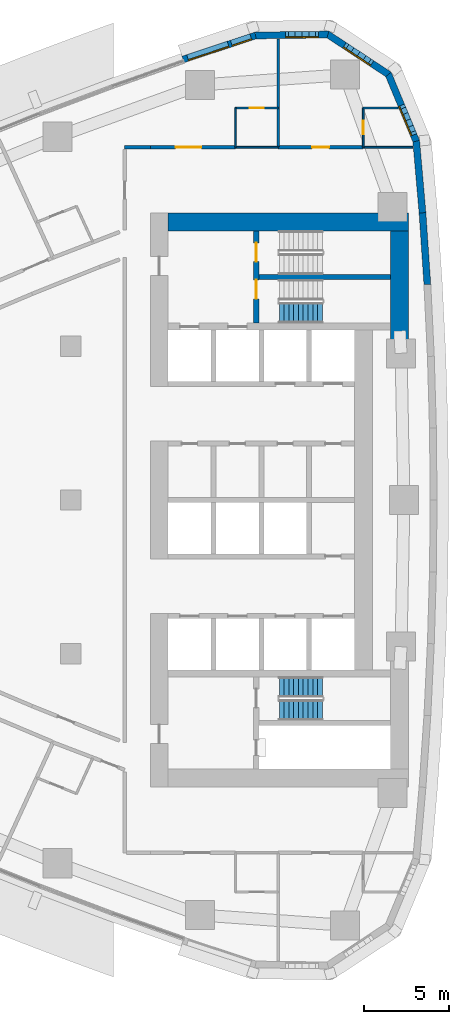
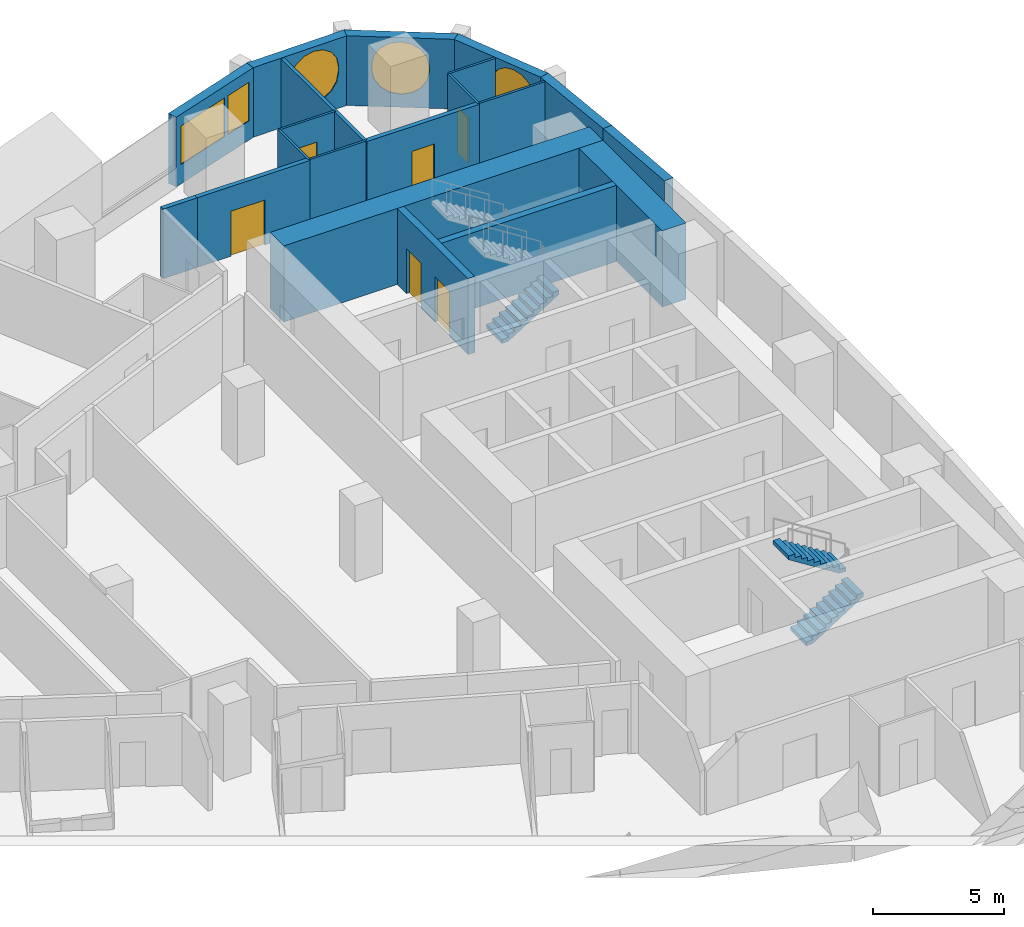
# One storey, part 12 of 17: 20 walls, 6 doors, 5 windows, 3 stair flights, 11 openings, 2 elements without a shape of their own.
"""IFC4 building model written with IfcOpenShell, lengths in metres."""

from ifc_helpers import new_model, si_unit, direction, frame, frame_2d, origin, place, context, subcontext, project, spatial, polyline, rectangle, outline, extrude, material, layer, layer_set, type_object, element, fill, aggregate, save


model = new_model("IFC4")

# Units and contexts
model_context = context("Model", 3, precision=1e-05, world=origin(), true_north=direction((0.0, 1.0)))
body_context = subcontext(model_context, "Body", "Model", "MODEL_VIEW")
ifc_project = project(units=[si_unit("LENGTHUNIT", "METRE"), si_unit("AREAUNIT", "SQUARE_METRE"), si_unit("VOLUMEUNIT", "CUBIC_METRE"), si_unit("PLANEANGLEUNIT", "RADIAN"), si_unit("MASSUNIT", "GRAM", prefix="KILO")], contexts=[model_context])

# Site, building, storey
site_placement = place(None, origin())
site = spatial("IfcSite", under=ifc_project, at=site_placement, CompositionType="ELEMENT")
building_placement = place(site_placement, origin())
building = spatial("IfcBuilding", under=site, at=building_placement, Name="Ostrand Prow Hotel Tower", CompositionType="ELEMENT")
storey_placement = place(building_placement, frame((0.0, 0.0, 92.0)))
storey = spatial("IfcBuildingStorey", under=building, at=storey_placement, Name="L21", CompositionType="ELEMENT", Elevation=92.0)

# Walls
ifc_material_1 = material(Name="Concrete C80/95", Category="concrete")
ifc_layer_1 = layer(ifc_material_1, 1.050048828125)
ifc_layer_set_1 = layer_set([ifc_layer_1], Name="Concrete C80/95")
wall_type_1 = type_object("IfcWallType", Name="Core wall 1050 C80/95", PredefinedType="SHEAR", material=ifc_layer_set_1)
wall_1_placement = place(storey_placement, frame((50.699951171875, 16.27490234375, 0.0), z_axis=(0.0, 0.0, 1.0), x_axis=(1.0, 0.0, 0.0)))
element("IfcWall", 1, at=wall_1_placement, inside=storey, type_object=wall_type_1, Name="Core wall CW-N", PredefinedType="SHEAR", context=body_context, shape_type="SweptSolid", body=[
    extrude(rectangle(XDim=14.070068359375, YDim=1.050048828125, at=frame_2d((7.03515625, 0.0))), origin(), (0.0, 0.0, 1.0), 3.550048828125),
])
wall_2_placement = place(storey_placement, frame((64.2451171875, 9.388671875, 0.0), z_axis=(0.0, 0.0, 1.0), x_axis=(0.0, 1.0, 0.0)))
element("IfcWall", 2, at=wall_2_placement, inside=storey, type_object=wall_type_1, Name="Core wall CW-E-N", PredefinedType="SHEAR", context=body_context, shape_type="SweptSolid", body=[
    extrude(rectangle(XDim=6.361328125, YDim=1.050048828125, at=frame_2d((3.1806640625, 0.0))), origin(), (0.0, 0.0, 1.0), 3.550048828125),
])

# Wall, openings, doors
ifc_material_2 = material(Name="Concrete C80/95", Category="concrete")
ifc_layer_2 = layer(ifc_material_2, 0.300048828125)
ifc_layer_set_2 = layer_set([ifc_layer_2], Name="Concrete C80/95")
wall_type_2 = type_object("IfcWallType", Name="Core wall 300 C80/95", PredefinedType="SHEAR", material=ifc_layer_set_2)
wall_3_placement = place(storey_placement, frame((55.85009765625, 10.35009765625, 0.0), z_axis=(0.0, 0.0, 1.0), x_axis=(0.0, 1.0, 0.0)))
wall_3 = element("IfcWall", 3, at=wall_3_placement, inside=storey, type_object=wall_type_2, Name="Core wall PW-VN", PredefinedType="SHEAR", context=body_context, shape_type="SweptSolid", body=[
    extrude(rectangle(XDim=5.39990234375, YDim=0.300048828125, at=frame_2d((2.699951171875, 0.0))), origin(), (0.0, 0.0, 1.0), 3.550048828125),
])
opening_1_placement = place(wall_3_placement, frame((1.429931640625, 0.0, 0.0)))
opening_1 = element("IfcOpeningElement", 4, at=opening_1_placement, cuts=wall_3, Name="Opening FD1", PredefinedType="OPENING", context=body_context, shape_type="SweptSolid", body=[
    extrude(rectangle(XDim=1.10009765625, YDim=2.10009765625, at=frame_2d((0.550048828125, 1.050048828125))), frame((0.0, 0.159912109375, 0.0), z_axis=(0.0, -1.0, 0.0), x_axis=(1.0, 0.0, 0.0)), (0.0, 0.0, 1.0), 0.320068359375),
])
opening_2_placement = place(wall_3_placement, frame((3.60009765625, 0.0, 0.0)))
opening_2 = element("IfcOpeningElement", 5, at=opening_2_placement, cuts=wall_3, Name="Opening FD1", PredefinedType="OPENING", context=body_context, shape_type="SweptSolid", body=[
    extrude(rectangle(XDim=1.10009765625, YDim=2.10009765625, at=frame_2d((0.550048828125, 1.050048828125))), frame((0.0, 0.159912109375, 0.0), z_axis=(0.0, -1.0, 0.0), x_axis=(1.0, 0.0, 0.0)), (0.0, 0.0, 1.0), 0.320068359375),
])
ifc_material_3 = material(Name="Steel fire door", Category="steel")
door_type_1 = type_object("IfcDoorType", Name="Fire door 1100 EI120", OperationType="SINGLE_SWING_RIGHT", PredefinedType="DOOR", material=ifc_material_3)
door_1_placement = place(opening_1_placement, origin())
door_1 = element("IfcDoor", 6, at=door_1_placement, inside=storey, type_object=door_type_1, Name="FIRE DOOR", OperationType="SINGLE_SWING_RIGHT", OverallHeight=2.10009765625, OverallWidth=1.10009765625, PredefinedType="DOOR", context=body_context, shape_type="SweptSolid", body=[
    extrude(rectangle(XDim=1.10009765625, YDim=2.10009765625, at=frame_2d((0.550048828125, 1.050048828125))), frame((0.0, 0.02490234375, 0.0), z_axis=(0.0, -1.0, 0.0), x_axis=(1.0, 0.0, 0.0)), (0.0, 0.0, 1.0), 0.050048828125),
])
fill(opening_1, door_1)
door_2_placement = place(opening_2_placement, origin())
door_2 = element("IfcDoor", 7, at=door_2_placement, inside=storey, type_object=door_type_1, Name="FIRE DOOR", OperationType="SINGLE_SWING_RIGHT", OverallHeight=2.10009765625, OverallWidth=1.10009765625, PredefinedType="DOOR", context=body_context, shape_type="SweptSolid", body=[
    extrude(rectangle(XDim=1.10009765625, YDim=2.10009765625, at=frame_2d((0.550048828125, 1.050048828125))), frame((0.0, 0.02490234375, 0.0), z_axis=(0.0, -1.0, 0.0), x_axis=(1.0, 0.0, 0.0)), (0.0, 0.0, 1.0), 0.050048828125),
])
fill(opening_2, door_2)

# Walls
wall_4_placement = place(storey_placement, frame((56.0, 13.050048828125, 0.0), z_axis=(0.0, 0.0, 1.0), x_axis=(1.0, 0.0, 0.0)))
element("IfcWall", 8, at=wall_4_placement, inside=storey, type_object=wall_type_2, Name="Core wall PW-ST13", PredefinedType="SHEAR", context=body_context, shape_type="SweptSolid", body=[
    extrude(rectangle(XDim=7.719970703125, YDim=0.300048828125, at=frame_2d((3.85986328125, 0.0))), origin(), (0.0, 0.0, 1.0), 3.550048828125),
])
ifc_material_4 = material(Name="Plasterboard partition")
ifc_layer_3 = layer(ifc_material_4, 0.10009765625)
ifc_layer_set_3 = layer_set([ifc_layer_3], Name="Plasterboard partition")
wall_type_3 = type_object("IfcWallType", Name="Partition 100 bathroom wall", PredefinedType="PARTITIONING", material=ifc_layer_set_3)
wall_5_placement = place(storey_placement, frame((54.630615234375, 20.64990234375, 0.0), z_axis=(0.0, 0.0, 1.0), x_axis=(0.0, 1.0, 0.0)))
element("IfcWall", 9, at=wall_5_placement, inside=storey, type_object=wall_type_3, Name="BATHROOM WALL", PredefinedType="PARTITIONING", context=body_context, shape_type="SweptSolid", body=[
    extrude(rectangle(XDim=2.300048828125, YDim=0.10009765625, at=frame_2d((1.14990234375, 0.0))), origin(), (0.0, 0.0, 1.0), 3.25),
])

# Wall, opening, door
wall_6_placement = place(storey_placement, frame((54.630615234375, 22.949951171875, 0.0), z_axis=(0.0, 0.0, 1.0), x_axis=(1.0, 0.0, 0.0)))
wall_6 = element("IfcWall", 10, at=wall_6_placement, inside=storey, type_object=wall_type_3, Name="BATHROOM WALL", PredefinedType="PARTITIONING", context=body_context, shape_type="SweptSolid", body=[
    extrude(rectangle(XDim=2.5, YDim=0.10009765625, at=frame_2d((1.25, 0.0))), origin(), (0.0, 0.0, 1.0), 3.25),
])
opening_3_placement = place(wall_6_placement, frame((0.85009765625, 0.0, 0.0)))
opening_3 = element("IfcOpeningElement", 11, at=opening_3_placement, cuts=wall_6, Name="Opening D2", PredefinedType="OPENING", context=body_context, shape_type="SweptSolid", body=[
    extrude(rectangle(XDim=0.800048828125, YDim=2.10009765625, at=frame_2d((0.39990234375, 1.050048828125))), frame((0.0, 0.06005859375, 0.0), z_axis=(0.0, -1.0, 0.0), x_axis=(1.0, 0.0, 0.0)), (0.0, 0.0, 1.0), 0.1201171875),
])
ifc_material_5 = material(Name="Timber door leaf", Category="wood")
door_type_2 = type_object("IfcDoorType", Name="Bathroom door 800", OperationType="SINGLE_SWING_LEFT", PredefinedType="DOOR", material=ifc_material_5)
door_3_placement = place(opening_3_placement, origin())
door_3 = element("IfcDoor", 12, at=door_3_placement, inside=storey, type_object=door_type_2, Name="DOOR", OperationType="SINGLE_SWING_LEFT", OverallHeight=2.10009765625, OverallWidth=0.800048828125, PredefinedType="DOOR", context=body_context, shape_type="SweptSolid", body=[
    extrude(rectangle(XDim=0.800048828125, YDim=2.10009765625, at=frame_2d((0.39990234375, 1.050048828125))), frame((0.0, 0.02490234375, 0.0), z_axis=(0.0, -1.0, 0.0), x_axis=(1.0, 0.0, 0.0)), (0.0, 0.0, 1.0), 0.050048828125),
])
fill(opening_3, door_3)

wall_7_placement = place(storey_placement, frame((62.111083984375, 20.64990234375, 0.0), z_axis=(0.0, 0.0, 1.0), x_axis=(0.0, 1.0, 0.0)))
wall_7 = element("IfcWall", 13, at=wall_7_placement, inside=storey, type_object=wall_type_3, Name="BATHROOM WALL", PredefinedType="PARTITIONING", context=body_context, shape_type="SweptSolid", body=[
    extrude(rectangle(XDim=2.300048828125, YDim=0.10009765625, at=frame_2d((1.14990234375, 0.0))), origin(), (0.0, 0.0, 1.0), 3.25),
])
opening_4_placement = place(wall_7_placement, frame((0.75, 0.0, 0.0)))
opening_4 = element("IfcOpeningElement", 14, at=opening_4_placement, cuts=wall_7, Name="Opening D2", PredefinedType="OPENING", context=body_context, shape_type="SweptSolid", body=[
    extrude(rectangle(XDim=0.800048828125, YDim=2.10009765625, at=frame_2d((0.39990234375, 1.050048828125))), frame((0.0, 0.06005859375, 0.0), z_axis=(0.0, -1.0, 0.0), x_axis=(1.0, 0.0, 0.0)), (0.0, 0.0, 1.0), 0.1201171875),
])
door_4_placement = place(opening_4_placement, origin())
door_4 = element("IfcDoor", 15, at=door_4_placement, inside=storey, type_object=door_type_2, Name="DOOR", OperationType="SINGLE_SWING_LEFT", OverallHeight=2.10009765625, OverallWidth=0.800048828125, PredefinedType="DOOR", context=body_context, shape_type="SweptSolid", body=[
    extrude(rectangle(XDim=0.800048828125, YDim=2.10009765625, at=frame_2d((0.39990234375, 1.050048828125))), frame((0.0, 0.02490234375, 0.0), z_axis=(0.0, -1.0, 0.0), x_axis=(1.0, 0.0, 0.0)), (0.0, 0.0, 1.0), 0.050048828125),
])
fill(opening_4, door_4)

# Walls
wall_8_placement = place(storey_placement, frame((62.111083984375, 22.949951171875, 0.0), z_axis=(0.0, 0.0, 1.0), x_axis=(1.0, 0.0, 0.0)))
element("IfcWall", 16, at=wall_8_placement, inside=storey, type_object=wall_type_3, Name="BATHROOM WALL", PredefinedType="PARTITIONING", context=body_context, shape_type="SweptSolid", body=[
    extrude(rectangle(XDim=2.04931640625, YDim=0.10009765625, at=frame_2d((1.024658203125, 0.0))), origin(), (0.0, 0.0, 1.0), 3.25),
])
wall_9_placement = place(storey_placement, frame((57.130615234375, 20.655029296875, 0.0), z_axis=(0.0, 0.0, 1.0), x_axis=(-1.0, 0.0, 0.0)))
element("IfcWall", 17, at=wall_9_placement, inside=storey, type_object=wall_type_3, Name="BATHROOM WALL", PredefinedType="PARTITIONING", context=body_context, shape_type="SweptSolid", body=[
    extrude(rectangle(XDim=2.5, YDim=0.10009765625, at=frame_2d((1.25, 0.0))), origin(), (0.0, 0.0, 1.0), 3.25),
])
wall_10_placement = place(storey_placement, frame((65.016845703125, 20.655029296875, 0.0), z_axis=(0.0, 0.0, 1.0), x_axis=(-1.0, 0.0, 0.0)))
element("IfcWall", 18, at=wall_10_placement, inside=storey, type_object=wall_type_3, Name="BATHROOM WALL", PredefinedType="PARTITIONING", context=body_context, shape_type="SweptSolid", body=[
    extrude(rectangle(XDim=2.90576171875, YDim=0.10009765625, at=frame_2d((1.452880859375, 0.0))), origin(), (0.0, 0.0, 1.0), 3.25),
])
ifc_material_6 = material(Name="Plasterboard partition")
ifc_layer_4 = layer(ifc_material_6, 0.14990234375)
ifc_layer_set_4 = layer_set([ifc_layer_4], Name="Plasterboard partition")
wall_type_4 = type_object("IfcWallType", Name="Partition 150 room partition", PredefinedType="PARTITIONING", material=ifc_layer_set_4)
wall_11_placement = place(storey_placement, frame((57.130615234375, 20.64990234375, 0.0), z_axis=(0.0, 0.0, 1.0), x_axis=(0.0, 1.0, 0.0)))
element("IfcWall", 19, at=wall_11_placement, inside=storey, type_object=wall_type_4, Name="ROOM PARTITION", PredefinedType="PARTITIONING", context=body_context, shape_type="SweptSolid", body=[
    extrude(rectangle(XDim=6.3291015625, YDim=0.14990234375, at=frame_2d((3.16455078125, 0.0))), origin(), (0.0, 0.0, 1.0), 3.25),
])

# Wall, opening, door
ifc_material_7 = material(Name="Plasterboard partition")
ifc_layer_5 = layer(ifc_material_7, 0.199951171875)
ifc_layer_set_5 = layer_set([ifc_layer_5], Name="Plasterboard partition")
wall_type_5 = type_object("IfcWallType", Name="Partition 200 corridor wall", PredefinedType="PARTITIONING", material=ifc_layer_set_5)
wall_12_placement = place(storey_placement, frame((54.62548828125, 20.655029296875, 0.0), z_axis=(0.0, 0.0, 1.0), x_axis=(-1.0, 0.0, 0.0)))
wall_12 = element("IfcWall", 20, at=wall_12_placement, inside=storey, type_object=wall_type_5, Name="CORRIDOR WALL", PredefinedType="PARTITIONING", context=body_context, shape_type="SweptSolid", body=[
    extrude(rectangle(XDim=4.9755859375, YDim=0.199951171875, at=frame_2d((2.48779296875, 0.0))), origin(), (0.0, 0.0, 1.0), 3.25),
])
opening_5_placement = place(wall_12_placement, frame((1.98779296875, 0.0, 0.0)))
opening_5 = element("IfcOpeningElement", 21, at=opening_5_placement, cuts=wall_12, Name="Opening D15", PredefinedType="OPENING", context=body_context, shape_type="SweptSolid", body=[
    extrude(rectangle(XDim=1.5, YDim=2.10009765625, at=frame_2d((0.75, 1.050048828125))), frame((0.0, 0.10986328125, 0.0), z_axis=(0.0, -1.0, 0.0), x_axis=(1.0, 0.0, 0.0)), (0.0, 0.0, 1.0), 0.219970703125),
])
ifc_material_8 = material(Name="Timber door leaf", Category="wood")
door_type_3 = type_object("IfcDoorType", Name="Double door 1500", OperationType="DOUBLE_DOOR_SINGLE_SWING", PredefinedType="DOOR", material=ifc_material_8)
door_5_placement = place(opening_5_placement, origin())
door_5 = element("IfcDoor", 22, at=door_5_placement, inside=storey, type_object=door_type_3, Name="DOOR", OperationType="DOUBLE_DOOR_SINGLE_SWING", OverallHeight=2.10009765625, OverallWidth=1.5, PredefinedType="DOOR", context=body_context, shape_type="SweptSolid", body=[
    extrude(rectangle(XDim=1.5, YDim=2.10009765625, at=frame_2d((0.75, 1.050048828125))), frame((0.0, 0.02490234375, 0.0), z_axis=(0.0, -1.0, 0.0), x_axis=(1.0, 0.0, 0.0)), (0.0, 0.0, 1.0), 0.050048828125),
])
fill(opening_5, door_5)

wall_13_placement = place(storey_placement, frame((62.106201171875, 20.655029296875, 0.0), z_axis=(0.0, 0.0, 1.0), x_axis=(-1.0, 0.0, 0.0)))
wall_13 = element("IfcWall", 23, at=wall_13_placement, inside=storey, type_object=wall_type_5, Name="CORRIDOR WALL", PredefinedType="PARTITIONING", context=body_context, shape_type="SweptSolid", body=[
    extrude(rectangle(XDim=4.970703125, YDim=0.199951171875, at=frame_2d((2.4853515625, 0.0))), origin(), (0.0, 0.0, 1.0), 3.25),
])
opening_6_placement = place(wall_13_placement, frame((1.9853515625, 0.0, 0.0)))
opening_6 = element("IfcOpeningElement", 24, at=opening_6_placement, cuts=wall_13, Name="Opening D1R", PredefinedType="OPENING", context=body_context, shape_type="SweptSolid", body=[
    extrude(rectangle(XDim=1.0, YDim=2.10009765625, at=frame_2d((0.5, 1.050048828125))), frame((0.0, 0.10986328125, 0.0), z_axis=(0.0, -1.0, 0.0), x_axis=(1.0, 0.0, 0.0)), (0.0, 0.0, 1.0), 0.219970703125),
])
ifc_material_9 = material(Name="Timber door leaf", Category="wood")
door_type_4 = type_object("IfcDoorType", Name="Guest room door 1000 right", OperationType="SINGLE_SWING_RIGHT", PredefinedType="DOOR", material=ifc_material_9)
door_6_placement = place(opening_6_placement, origin())
door_6 = element("IfcDoor", 25, at=door_6_placement, inside=storey, type_object=door_type_4, Name="DOOR", OperationType="SINGLE_SWING_RIGHT", OverallHeight=2.10009765625, OverallWidth=1.0, PredefinedType="DOOR", context=body_context, shape_type="SweptSolid", body=[
    extrude(rectangle(XDim=1.0, YDim=2.10009765625, at=frame_2d((0.5, 1.050048828125))), frame((0.0, 0.02490234375, 0.0), z_axis=(0.0, -1.0, 0.0), x_axis=(1.0, 0.0, 0.0)), (0.0, 0.0, 1.0), 0.050048828125),
])
fill(opening_6, door_6)

# Walls
wall_14_placement = place(storey_placement, frame((49.64990234375, 20.655029296875, 0.0), z_axis=(0.0, 0.0, 1.0), x_axis=(-0.999996196879, -0.002757938895, 0.0)))
element("IfcWall", 26, at=wall_14_placement, inside=storey, type_object=wall_type_5, Name="CORRIDOR WALL", PredefinedType="PARTITIONING", context=body_context, shape_type="SweptSolid", body=[
    extrude(rectangle(XDim=1.5048828125, YDim=0.199951171875, at=frame_2d((0.75244140625, 0.0))), origin(), (0.0, 0.0, 1.0), 3.25),
])
ifc_material_10 = material(Name="Precast concrete C40/50", Category="concrete")
ifc_layer_6 = layer(ifc_material_10, 0.39990234375)
ifc_layer_set_6 = layer_set([ifc_layer_6], Name="Precast concrete C40/50")
wall_type_6 = type_object("IfcWallType", Name="Stone-faced precast wall 400 mm", PredefinedType="NOTDEFINED", material=ifc_layer_set_6)
wall_15_placement = place(storey_placement, frame((65.8681640625, 12.613525390625, 0.0), z_axis=(0.0, 0.0, 1.0), x_axis=(-0.067724559895, 0.997704056315, 0.0)))
element("IfcWall", 27, at=wall_15_placement, inside=storey, type_object=wall_type_6, Name="Stone-faced wall back 13", PredefinedType="NOTDEFINED", context=body_context, shape_type="SweptSolid", body=[
    extrude(outline(polyline([(-0.001953125, -0.199951171875), (4.208984375, -0.199951171875), (4.205078125, 0.199951171875), (0.001953125, 0.199951171875), (-0.001953125, -0.199951171875)])), origin(), (0.0, 0.0, 1.0), 3.25),
])
wall_16_placement = place(storey_placement, frame((65.583251953125, 16.810791015625, 0.0), z_axis=(0.0, 0.0, 1.0), x_axis=(-0.086992730434, 0.996208946382, 0.0)))
element("IfcWall", 28, at=wall_16_placement, inside=storey, type_object=wall_type_6, Name="Stone-faced wall back 14", PredefinedType="NOTDEFINED", context=body_context, shape_type="SweptSolid", body=[
    extrude(outline(polyline([(-0.001953125, -0.199951171875), (4.23779296875, -0.199951171875), (4.17578125, 0.199951171875), (0.001953125, 0.199951171875), (-0.001953125, -0.199951171875)])), origin(), (0.0, 0.0, 1.0), 3.25),
])

# Wall, opening, window
wall_17_placement = place(storey_placement, frame((65.21728515625, 21.001708984375, 0.0), z_axis=(0.0, 0.0, 1.0), x_axis=(-0.383997751971, 0.923334027577, 0.0)))
wall_17 = element("IfcWall", 29, at=wall_17_placement, inside=storey, type_object=wall_type_6, Name="Stone-faced wall back 15", PredefinedType="NOTDEFINED", context=body_context, shape_type="SweptSolid", body=[
    extrude(outline(polyline([(-0.031005859375, -0.199951171875), (4.300048828125, -0.199951171875), (4.177490234375, 0.199951171875), (0.031005859375, 0.199951171875), (-0.031005859375, -0.199951171875)])), origin(), (0.0, 0.0, 1.0), 3.25),
])
opening_7_placement = place(wall_17_placement, frame((0.28662109375, 0.0, 0.60009765625)))
opening_7 = element("IfcOpeningElement", 30, at=opening_7_placement, cuts=wall_17, Name="Opening WP1-21", PredefinedType="OPENING", context=body_context, shape_type="SweptSolid", body=[
    extrude(outline(polyline([(0.0, 1.39990234375), (0.079833984375, 1.8017578125), (0.3076171875, 2.142333984375), (0.648193359375, 2.3701171875), (1.050048828125, 2.449951171875), (1.451904296875, 2.3701171875), (1.79248046875, 2.142333984375), (2.020263671875, 1.8017578125), (2.10009765625, 1.39990234375), (2.10009765625, 1.050048828125), (2.020263671875, 0.648193359375), (1.79248046875, 0.3076171875), (1.451904296875, 0.079833984375), (1.050048828125, 0.0), (0.648193359375, 0.079833984375), (0.3076171875, 0.3076171875), (0.079833984375, 0.648193359375), (0.0, 1.050048828125), (0.0, 1.39990234375)])), frame((0.0, 0.2099609375, 0.0), z_axis=(0.0, -1.0, 0.0), x_axis=(1.0, 0.0, 0.0)), (0.0, 0.0, 1.0), 0.419921875),
])
ifc_material_11 = material(Name="Insulated glass in bronze frame", Category="glass")
window_type_1 = type_object("IfcWindowType", Name="Round-ended prow window 2100x2450", PartitioningType="SINGLE_PANEL", PredefinedType="WINDOW", material=ifc_material_11)
window_1_placement = place(opening_7_placement, origin())
window_1 = element("IfcWindow", 31, at=window_1_placement, inside=storey, type_object=window_type_1, Name="Window back 15.1", OverallHeight=2.449951171875, OverallWidth=2.10009765625, PartitioningType="SINGLE_PANEL", PredefinedType="WINDOW", context=body_context, shape_type="SweptSolid", body=[
    extrude(outline(polyline([(0.0, 1.39990234375), (0.079833984375, 1.8017578125), (0.3076171875, 2.142333984375), (0.648193359375, 2.3701171875), (1.050048828125, 2.449951171875), (1.451904296875, 2.3701171875), (1.79248046875, 2.142333984375), (2.020263671875, 1.8017578125), (2.10009765625, 1.39990234375), (2.10009765625, 1.050048828125), (2.020263671875, 0.648193359375), (1.79248046875, 0.3076171875), (1.451904296875, 0.079833984375), (1.050048828125, 0.0), (0.648193359375, 0.079833984375), (0.3076171875, 0.3076171875), (0.079833984375, 0.648193359375), (0.0, 1.050048828125), (0.0, 1.39990234375)])), frame((0.0, 0.169921875, 0.0), z_axis=(0.0, -1.0, 0.0), x_axis=(1.0, 0.0, 0.0)), (0.0, 0.0, 1.0), 0.06005859375),
])
fill(opening_7, window_1)

wall_18_placement = place(storey_placement, frame((63.589599609375, 24.91552734375, 0.0), z_axis=(0.0, 0.0, 1.0), x_axis=(-0.835340523653, 0.549732852887, 0.0)))
wall_18 = element("IfcWall", 32, at=wall_18_placement, inside=storey, type_object=wall_type_6, Name="Stone-faced wall back 16", PredefinedType="NOTDEFINED", context=body_context, shape_type="SweptSolid", body=[
    extrude(outline(polyline([(-0.061279296875, -0.199951171875), (4.30029296875, -0.199951171875), (4.177734375, 0.199951171875), (0.061279296875, 0.199951171875), (-0.061279296875, -0.199951171875)])), origin(), (0.0, 0.0, 1.0), 3.25),
])
opening_8_placement = place(wall_18_placement, frame((1.01953125, 0.0, 0.60009765625)))
opening_8 = element("IfcOpeningElement", 33, at=opening_8_placement, cuts=wall_18, Name="Opening WP1", PredefinedType="OPENING", context=body_context, shape_type="SweptSolid", body=[
    extrude(outline(polyline([(0.0, 1.35009765625), (0.083740234375, 1.77099609375), (0.322265625, 2.127685546875), (0.678955078125, 2.3662109375), (1.10009765625, 2.449951171875), (1.52099609375, 2.3662109375), (1.877685546875, 2.127685546875), (2.1162109375, 1.77099609375), (2.199951171875, 1.35009765625), (2.199951171875, 1.10009765625), (2.1162109375, 0.678955078125), (1.877685546875, 0.322265625), (1.52099609375, 0.083740234375), (1.10009765625, 0.0), (0.678955078125, 0.083740234375), (0.322265625, 0.322265625), (0.083740234375, 0.678955078125), (0.0, 1.099853515625), (0.0, 1.35009765625)])), frame((0.0, 0.2099609375, 0.0), z_axis=(0.0, -1.0, 0.0), x_axis=(1.0, 0.0, 0.0)), (0.0, 0.0, 1.0), 0.419921875),
])
ifc_material_12 = material(Name="Insulated glass in bronze frame", Category="glass")
window_type_2 = type_object("IfcWindowType", Name="Round-ended prow window 2200x2450", PartitioningType="SINGLE_PANEL", PredefinedType="WINDOW", material=ifc_material_12)
window_2_placement = place(opening_8_placement, origin())
window_2 = element("IfcWindow", 34, at=window_2_placement, inside=storey, type_object=window_type_2, Name="Window back 16.1", OverallHeight=2.449951171875, OverallWidth=2.199951171875, PartitioningType="SINGLE_PANEL", PredefinedType="WINDOW", context=body_context, shape_type="SweptSolid", body=[
    extrude(outline(polyline([(0.0, 1.35009765625), (0.083740234375, 1.77099609375), (0.322265625, 2.127685546875), (0.678955078125, 2.3662109375), (1.10009765625, 2.449951171875), (1.52099609375, 2.3662109375), (1.877685546875, 2.127685546875), (2.1162109375, 1.77099609375), (2.199951171875, 1.35009765625), (2.199951171875, 1.10009765625), (2.1162109375, 0.678955078125), (1.877685546875, 0.322265625), (1.52099609375, 0.083740234375), (1.10009765625, 0.0), (0.678955078125, 0.083740234375), (0.322265625, 0.322265625), (0.083740234375, 0.678955078125), (0.0, 1.099853515625), (0.0, 1.35009765625)])), frame((0.0, 0.169921875, 0.0), z_axis=(0.0, -1.0, 0.0), x_axis=(1.0, 0.0, 0.0)), (0.0, 0.0, 1.0), 0.06005859375),
])
fill(opening_8, window_2)

wall_19_placement = place(storey_placement, frame((60.048583984375, 27.245849609375, 0.0), z_axis=(0.0, 0.0, 1.0), x_axis=(-0.999919718849, -0.012671063772, 0.0)))
wall_19 = element("IfcWall", 35, at=wall_19_placement, inside=storey, type_object=wall_type_6, Name="Stone-faced wall back 17", PredefinedType="NOTDEFINED", context=body_context, shape_type="SweptSolid", body=[
    extrude(outline(polyline([(-0.061279296875, -0.199951171875), (4.269775390625, -0.199951171875), (4.207763671875, 0.199951171875), (0.061279296875, 0.199951171875), (-0.061279296875, -0.199951171875)])), origin(), (0.0, 0.0, 1.0), 3.25),
])
opening_9_placement = place(wall_19_placement, frame((0.418212890625, 0.0, 0.60009765625)))
opening_9 = element("IfcOpeningElement", 36, at=opening_9_placement, cuts=wall_19, Name="Opening WP1", PredefinedType="OPENING", context=body_context, shape_type="SweptSolid", body=[
    extrude(outline(polyline([(0.0, 1.35009765625), (0.083740234375, 1.77099609375), (0.322265625, 2.127685546875), (0.678955078125, 2.3662109375), (1.10009765625, 2.449951171875), (1.52099609375, 2.3662109375), (1.877685546875, 2.127685546875), (2.1162109375, 1.77099609375), (2.199951171875, 1.35009765625), (2.199951171875, 1.10009765625), (2.1162109375, 0.678955078125), (1.877685546875, 0.322265625), (1.52099609375, 0.083740234375), (1.10009765625, 0.0), (0.678955078125, 0.083740234375), (0.322265625, 0.322265625), (0.083740234375, 0.678955078125), (0.0, 1.099853515625), (0.0, 1.35009765625)])), frame((0.0, 0.2099609375, 0.0), z_axis=(0.0, -1.0, 0.0), x_axis=(1.0, 0.0, 0.0)), (0.0, 0.0, 1.0), 0.419921875),
])
window_3_placement = place(opening_9_placement, origin())
window_3 = element("IfcWindow", 37, at=window_3_placement, inside=storey, type_object=window_type_2, Name="Window back 17.1", OverallHeight=2.449951171875, OverallWidth=2.199951171875, PartitioningType="SINGLE_PANEL", PredefinedType="WINDOW", context=body_context, shape_type="SweptSolid", body=[
    extrude(outline(polyline([(0.0, 1.35009765625), (0.083740234375, 1.77099609375), (0.322265625, 2.127685546875), (0.678955078125, 2.3662109375), (1.10009765625, 2.449951171875), (1.52099609375, 2.3662109375), (1.877685546875, 2.127685546875), (2.1162109375, 1.77099609375), (2.199951171875, 1.35009765625), (2.199951171875, 1.10009765625), (2.1162109375, 0.678955078125), (1.877685546875, 0.322265625), (1.52099609375, 0.083740234375), (1.10009765625, 0.0), (0.678955078125, 0.083740234375), (0.322265625, 0.322265625), (0.083740234375, 0.678955078125), (0.0, 1.099853515625), (0.0, 1.35009765625)])), frame((0.0, 0.169921875, 0.0), z_axis=(0.0, -1.0, 0.0), x_axis=(1.0, 0.0, 0.0)), (0.0, 0.0, 1.0), 0.06005859375),
])
fill(opening_9, window_3)

# Wall, openings, windows
wall_20_placement = place(storey_placement, frame((55.81005859375, 27.192138671875, 0.0), z_axis=(0.0, 0.0, 1.0), x_axis=(-0.94925004851, -0.314522408429, 0.0)))
wall_20 = element("IfcWall", 38, at=wall_20_placement, inside=storey, type_object=wall_type_6, Name="Stone-faced wall back 18", PredefinedType="NOTDEFINED", context=body_context, shape_type="SweptSolid", body=[
    extrude(outline(polyline([(-0.031005859375, -0.199951171875), (4.468017578125, -0.199951171875), (4.468017578125, 0.199951171875), (0.031005859375, 0.199951171875), (-0.031005859375, -0.199951171875)])), origin(), (0.0, 0.0, 1.0), 3.25),
])
opening_10_placement = place(wall_20_placement, frame((0.283935546875, 0.0, 0.89990234375)))
opening_10 = element("IfcOpeningElement", 39, at=opening_10_placement, cuts=wall_20, Name="Opening WS4", PredefinedType="OPENING", context=body_context, shape_type="SweptSolid", body=[
    extrude(rectangle(XDim=1.199951171875, YDim=1.800048828125, at=frame_2d((0.60009765625, 0.89990234375))), frame((0.0, 0.2099609375, 0.0), z_axis=(0.0, -1.0, 0.0), x_axis=(1.0, 0.0, 0.0)), (0.0, 0.0, 1.0), 0.419921875),
])
opening_11_placement = place(wall_20_placement, frame((1.68408203125, 0.0, 0.89990234375)))
opening_11 = element("IfcOpeningElement", 40, at=opening_11_placement, cuts=wall_20, Name="Opening WS5-25", PredefinedType="OPENING", context=body_context, shape_type="SweptSolid", body=[
    extrude(rectangle(XDim=2.5, YDim=1.800048828125, at=frame_2d((1.25, 0.89990234375))), frame((0.0, 0.2099609375, 0.0), z_axis=(0.0, -1.0, 0.0), x_axis=(1.0, 0.0, 0.0)), (0.0, 0.0, 1.0), 0.419921875),
])
ifc_material_13 = material(Name="Insulated glass in bronze frame", Category="glass")
window_type_3 = type_object("IfcWindowType", Name="Fixed strip window 2500x1800", PartitioningType="SINGLE_PANEL", PredefinedType="WINDOW", material=ifc_material_13)
window_4_placement = place(opening_11_placement, origin())
window_4 = element("IfcWindow", 41, at=window_4_placement, inside=storey, type_object=window_type_3, Name="Window back 18.2", OverallHeight=1.800048828125, OverallWidth=2.5, PartitioningType="SINGLE_PANEL", PredefinedType="WINDOW", context=body_context, shape_type="SweptSolid", body=[
    extrude(rectangle(XDim=2.5, YDim=1.800048828125, at=frame_2d((1.25, 0.89990234375))), frame((0.0, 0.169921875, 0.0), z_axis=(0.0, -1.0, 0.0), x_axis=(1.0, 0.0, 0.0)), (0.0, 0.0, 1.0), 0.06005859375),
])
fill(opening_11, window_4)
ifc_material_14 = material(Name="Insulated glass in bronze frame", Category="glass")
window_type_4 = type_object("IfcWindowType", Name="Operable strip panel 1200x1800", PartitioningType="SINGLE_PANEL", PredefinedType="WINDOW", material=ifc_material_14)
window_5_placement = place(opening_10_placement, origin())
window_5 = element("IfcWindow", 42, at=window_5_placement, inside=storey, type_object=window_type_4, Name="Window back 18.1", OverallHeight=1.800048828125, OverallWidth=1.199951171875, PartitioningType="SINGLE_PANEL", PredefinedType="WINDOW", context=body_context, shape_type="SweptSolid", body=[
    extrude(rectangle(XDim=1.199951171875, YDim=1.800048828125, at=frame_2d((0.60009765625, 0.89990234375))), frame((0.0, 0.169921875, 0.0), z_axis=(0.0, -1.0, 0.0), x_axis=(1.0, 0.0, 0.0)), (0.0, 0.0, 1.0), 0.06005859375),
])
fill(opening_10, window_5)

# Stair, stair flight
ifc_material_15 = material(Name="Concrete C40/50", Category="concrete")
stair_type = type_object("IfcStairType", Name="Exit stair 1200 upper zone", PredefinedType="HALF_TURN_STAIR", material=ifc_material_15)
stair_1_placement = place(storey_placement, origin())
stair_1 = element("IfcStair", 43, at=stair_1_placement, inside=storey, type_object=stair_type, Name="L21 ST1C", PredefinedType="HALF_TURN_STAIR")
ifc_material_16 = material(Name="Concrete C40/50", Category="concrete")
stair_flight_type = type_object("IfcStairFlightType", Name="Stair flight 1200 concrete", PredefinedType="STRAIGHT", material=ifc_material_16)
stair_flight_1_placement = place(storey_placement, frame((57.199951171875, 10.949951171875, 0.0), z_axis=(0.0, 0.0, 1.0), x_axis=(1.0, 0.0, 0.0)))
stair_flight_1 = element("IfcStairFlight", 44, at=stair_flight_1_placement, type_object=stair_flight_type, Name="ST1C flight 1", NumberOfRisers=10, NumberOfTreads=9, PredefinedType="STRAIGHT", RiserHeight=0.1775, TreadLength=0.28, context=body_context, shape_type="SweptSolid", body=[
    extrude(outline(polyline([(0.0, 0.0), (0.0, 0.177490234375), (0.280029296875, 0.177490234375), (0.280029296875, 0.35498046875), (0.56005859375, 0.35498046875), (0.56005859375, 0.532470703125), (0.840087890625, 0.532470703125), (0.840087890625, 0.7099609375), (1.1201171875, 0.7099609375), (1.1201171875, 0.887451171875), (1.39990234375, 0.887451171875), (1.39990234375, 1.06494140625), (1.679931640625, 1.06494140625), (1.679931640625, 1.242431640625), (1.9599609375, 1.242431640625), (1.9599609375, 1.419921875), (2.239990234375, 1.419921875), (2.239990234375, 1.597412109375), (2.52001953125, 1.597412109375), (2.52001953125, 1.77490234375), (2.52001953125, 1.419921875), (0.280029296875, 0.0), (0.0, 0.0)])), frame((0.0, 0.60009765625, 0.0), z_axis=(0.0, -1.0, 0.0), x_axis=(1.0, 0.0, 0.0)), (0.0, 0.0, 1.0), 1.199951171875),
])
aggregate(stair_1, [stair_flight_1])

# Stair, stair flights
stair_2_placement = place(storey_placement, origin())
stair_2 = element("IfcStair", 45, at=stair_2_placement, inside=storey, type_object=stair_type, Name="L21 ST2C", PredefinedType="HALF_TURN_STAIR")
stair_flight_2_placement = place(storey_placement, frame((57.199951171875, -12.300048828125, 0.0), z_axis=(0.0, 0.0, 1.0), x_axis=(1.0, 0.0, 0.0)))
stair_flight_2 = element("IfcStairFlight", 46, at=stair_flight_2_placement, type_object=stair_flight_type, Name="ST2C flight 1", NumberOfRisers=10, NumberOfTreads=9, PredefinedType="STRAIGHT", RiserHeight=0.1775, TreadLength=0.28, context=body_context, shape_type="SweptSolid", body=[
    extrude(outline(polyline([(0.0, 0.0), (0.0, 0.177490234375), (0.280029296875, 0.177490234375), (0.280029296875, 0.35498046875), (0.56005859375, 0.35498046875), (0.56005859375, 0.532470703125), (0.840087890625, 0.532470703125), (0.840087890625, 0.7099609375), (1.1201171875, 0.7099609375), (1.1201171875, 0.887451171875), (1.39990234375, 0.887451171875), (1.39990234375, 1.06494140625), (1.679931640625, 1.06494140625), (1.679931640625, 1.242431640625), (1.9599609375, 1.242431640625), (1.9599609375, 1.419921875), (2.239990234375, 1.419921875), (2.239990234375, 1.597412109375), (2.52001953125, 1.597412109375), (2.52001953125, 1.77490234375), (2.52001953125, 1.419921875), (0.280029296875, 0.0), (0.0, 0.0)])), frame((0.0, 0.60009765625, 0.0), z_axis=(0.0, -1.0, 0.0), x_axis=(1.0, 0.0, 0.0)), (0.0, 0.0, 1.0), 1.199951171875),
])
stair_flight_3_placement = place(storey_placement, frame((59.719970703125, -10.949951171875, 1.77490234375), z_axis=(0.0, 0.0, 1.0), x_axis=(-1.0, 0.0, 0.0)))
stair_flight_3 = element("IfcStairFlight", 47, at=stair_flight_3_placement, type_object=stair_flight_type, Name="ST2C flight 2", NumberOfRisers=10, NumberOfTreads=9, PredefinedType="STRAIGHT", RiserHeight=0.1775, TreadLength=0.28, context=body_context, shape_type="SweptSolid", body=[
    extrude(outline(polyline([(0.0, 0.0), (0.0, 0.177490234375), (0.280029296875, 0.177490234375), (0.280029296875, 0.35498046875), (0.56005859375, 0.35498046875), (0.56005859375, 0.532470703125), (0.840087890625, 0.532470703125), (0.840087890625, 0.7099609375), (1.1201171875, 0.7099609375), (1.1201171875, 0.887451171875), (1.39990234375, 0.887451171875), (1.39990234375, 1.06494140625), (1.679931640625, 1.06494140625), (1.679931640625, 1.242431640625), (1.9599609375, 1.242431640625), (1.9599609375, 1.419921875), (2.239990234375, 1.419921875), (2.239990234375, 1.597412109375), (2.52001953125, 1.597412109375), (2.52001953125, 1.77490234375), (2.52001953125, 1.419921875), (0.280029296875, 0.0), (0.0, 0.0)])), frame((0.0, 0.60009765625, 0.0), z_axis=(0.0, -1.0, 0.0), x_axis=(1.0, 0.0, 0.0)), (0.0, 0.0, 1.0), 1.199951171875),
])
aggregate(stair_2, [stair_flight_2, stair_flight_3])

save(model, "model.ifc")
